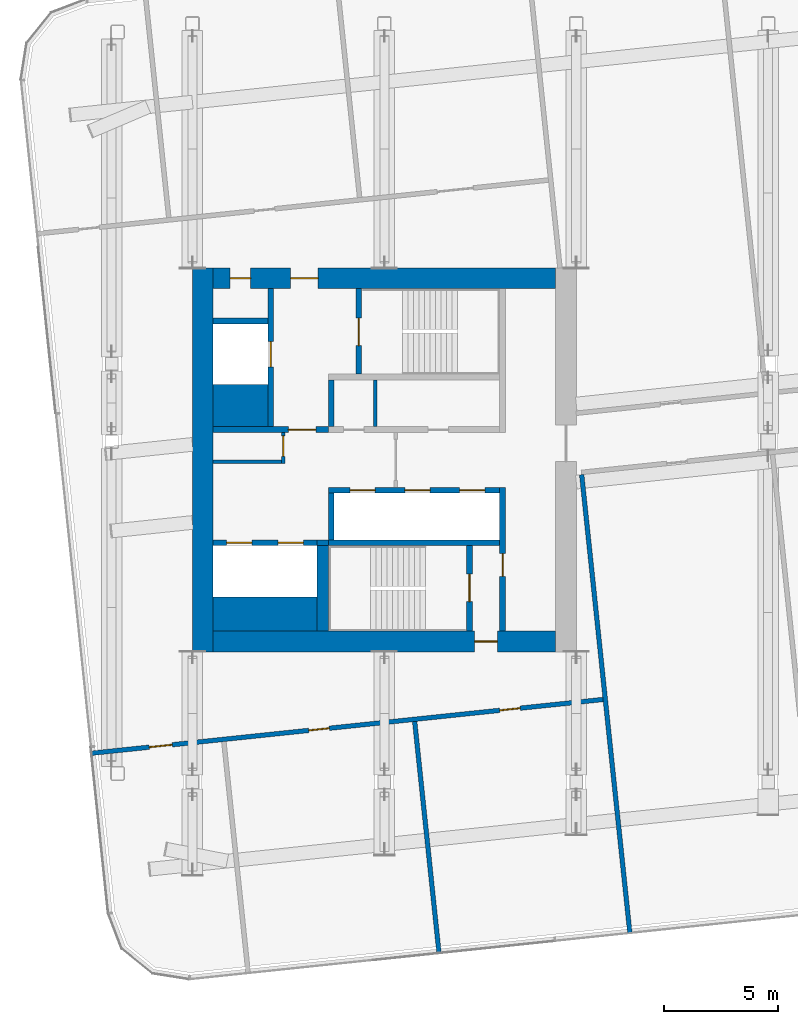
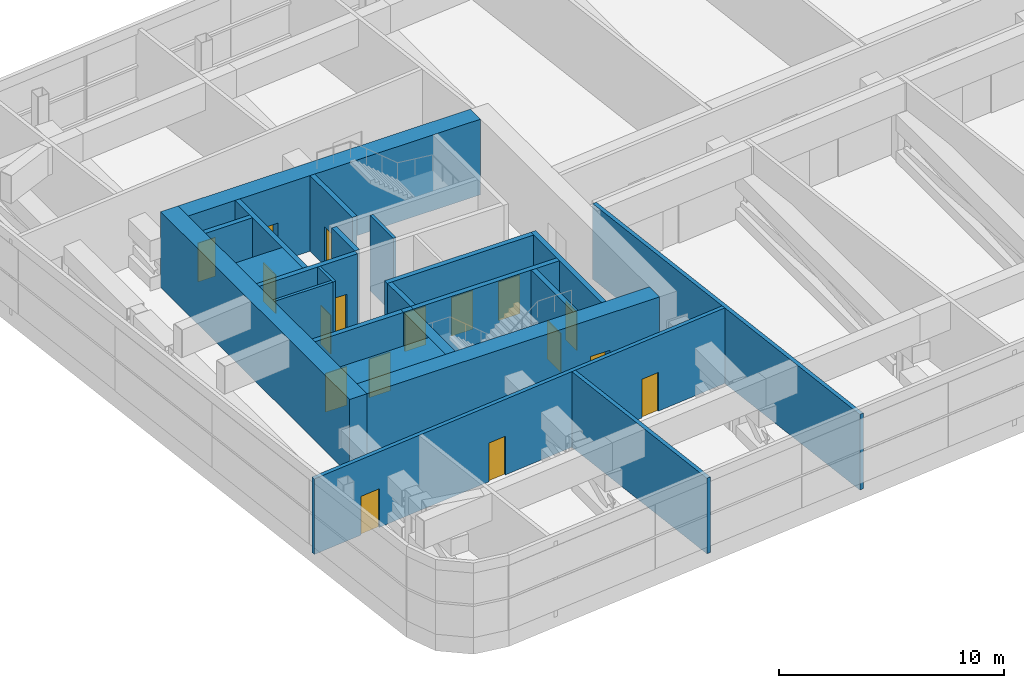
# One storey, part 16 of 33: 24 walls, 17 doors, 17 openings.
"""IFC4 building model written with IfcOpenShell, lengths in metres."""

from ifc_helpers import new_model, si_unit, direction, frame, frame_2d, origin, place, context, subcontext, project, spatial, rectangle, extrude, material, layer, layer_set, type_object, element, fill, save


model = new_model("IFC4")

# Units and contexts
model_context = context("Model", 3, precision=1e-05, world=origin(), true_north=direction((0.0, 1.0)))
body_context = subcontext(model_context, "Body", "Model", "MODEL_VIEW")
ifc_project = project(units=[si_unit("LENGTHUNIT", "METRE"), si_unit("AREAUNIT", "SQUARE_METRE"), si_unit("VOLUMEUNIT", "CUBIC_METRE"), si_unit("PLANEANGLEUNIT", "RADIAN"), si_unit("MASSUNIT", "GRAM", prefix="KILO")], contexts=[model_context])

# Site, building, storey
site_placement = place(None, origin())
site = spatial("IfcSite", under=ifc_project, at=site_placement, CompositionType="ELEMENT")
building_placement = place(site_placement, origin())
building = spatial("IfcBuilding", under=site, at=building_placement, Name="Hakoniwa Tower and Hamabe Station Hall", CompositionType="ELEMENT")
storey_placement = place(building_placement, frame((0.0, 0.0, 228.199951171875)))
storey = spatial("IfcBuildingStorey", under=building, at=storey_placement, Name="L65", CompositionType="ELEMENT", Elevation=228.199951171875)

# Wall, opening, door
ifc_material_1 = material(Name="Gypsum board partition")
ifc_layer_1 = layer(ifc_material_1, 0.14990234375)
ifc_layer_set_1 = layer_set([ifc_layer_1], Name="CORE PARTITION 150 EI 60")
wall_type_1 = type_object("IfcWallType", Name="CORE PARTITION 150 EI 60", PredefinedType="PARTITIONING", material=ifc_layer_set_1)
wall_1_placement = place(storey_placement, frame((-29.625, -0.14990234375, 0.0), z_axis=(0.0, 0.0, 1.0), x_axis=(0.0, 1.0, 0.0)))
wall_1 = element("IfcWall", 1, at=wall_1_placement, inside=storey, type_object=wall_type_1, Name="Core partition PW0 west", PredefinedType="PARTITIONING", context=body_context, shape_type="SweptSolid", body=[
    extrude(rectangle(XDim=1.349853515625, YDim=0.14990234375, at=frame_2d((0.6748046875, 0.0))), origin(), (0.0, 0.0, 1.0), 4.10009765625),
])
opening_1_placement = place(wall_1_placement, frame((0.300048828125, 0.0, 0.0)))
opening_1 = element("IfcOpeningElement", 2, at=opening_1_placement, cuts=wall_1, Name="Opening CD-W-RM1-9", PredefinedType="OPENING", context=body_context, shape_type="SweptSolid", body=[
    extrude(rectangle(XDim=0.89990234375, YDim=2.10009765625, at=frame_2d((0.449951171875, 1.050048828125))), frame((0.0, 0.0849609375, 0.0), z_axis=(0.0, -1.0, 0.0), x_axis=(1.0, 0.0, 0.0)), (0.0, 0.0, 1.0), 0.169921875),
])
ifc_material_2 = material(Name="Steel fire door", Category="steel")
door_type_1 = type_object("IfcDoorType", Name="CORE DOOR 900 FD30", OperationType="NOTDEFINED", PredefinedType="DOOR", material=ifc_material_2)
door_1_placement = place(opening_1_placement, origin())
door_1 = element("IfcDoor", 3, at=door_1_placement, inside=storey, type_object=door_type_1, Name="Store room door", OperationType="SINGLE_SWING_LEFT", OverallHeight=2.10009765625, OverallWidth=0.89990234375, PredefinedType="DOOR", context=body_context, shape_type="SweptSolid", body=[
    extrude(rectangle(XDim=0.89990234375, YDim=2.10009765625, at=frame_2d((0.449951171875, 1.050048828125))), frame((0.0, 0.02490234375, 0.0), z_axis=(0.0, -1.0, 0.0), x_axis=(1.0, 0.0, 0.0)), (0.0, 0.0, 1.0), 0.050048828125),
])
fill(opening_1, door_1)

# Walls
wall_2_placement = place(storey_placement, frame((-32.699951171875, -0.074951171875, 0.0), z_axis=(0.0, 0.0, 1.0), x_axis=(1.0, 0.0, 0.0)))
element("IfcWall", 4, at=wall_2_placement, inside=storey, type_object=wall_type_1, Name="Core partition PS west", PredefinedType="PARTITIONING", context=body_context, shape_type="SweptSolid", body=[
    extrude(rectangle(XDim=3.0, YDim=0.14990234375, at=frame_2d((1.5, 0.0))), origin(), (0.0, 0.0, 1.0), 4.10009765625),
])
wall_3_placement = place(storey_placement, frame((-25.60009765625, 1.449951171875, 0.0), z_axis=(0.0, 0.0, 1.0), x_axis=(0.0, 1.0, 0.0)))
element("IfcWall", 5, at=wall_3_placement, inside=storey, type_object=wall_type_1, Name="Core partition PFLR0 west", PredefinedType="PARTITIONING", context=body_context, shape_type="SweptSolid", body=[
    extrude(rectangle(XDim=2.050048828125, YDim=0.14990234375, at=frame_2d((1.02490234375, 0.0))), origin(), (0.0, 0.0, 1.0), 4.10009765625),
])
ifc_material_3 = material(Name="Concrete C60", Category="concrete")
ifc_layer_2 = layer(ifc_material_3, 0.89990234375)
ifc_layer_set_2 = layer_set([ifc_layer_2], Name="CORE WALL 900 C60")
wall_type_2 = type_object("IfcWallType", Name="CORE WALL 900 C60", PredefinedType="SHEAR", material=ifc_layer_set_2)
wall_4_placement = place(storey_placement, frame((-33.14990234375, -8.39990234375, 0.0), z_axis=(0.0, 0.0, 1.0), x_axis=(0.0, 1.0, 0.0)))
element("IfcWall", 6, at=wall_4_placement, inside=storey, type_object=wall_type_2, Name="Core wall OUTER west", PredefinedType="SHEAR", context=body_context, shape_type="SweptSolid", body=[
    extrude(rectangle(XDim=16.7998046875, YDim=0.89990234375, at=frame_2d((8.39990234375, 0.0))), origin(), (0.0, 0.0, 1.0), 4.10009765625),
])

# Wall, openings, doors
wall_5_placement = place(storey_placement, frame((-32.699951171875, 7.949951171875, 0.0), z_axis=(0.0, 0.0, 1.0), x_axis=(1.0, 0.0, 0.0)))
wall_5 = element("IfcWall", 7, at=wall_5_placement, inside=storey, type_object=wall_type_2, Name="Core wall NORTH west", PredefinedType="SHEAR", context=body_context, shape_type="SweptSolid", body=[
    extrude(rectangle(XDim=15.0, YDim=0.89990234375, at=frame_2d((7.5, 0.0))), origin(), (0.0, 0.0, 1.0), 4.10009765625),
])
opening_2_placement = place(wall_5_placement, frame((3.39990234375, 0.0, 0.0)))
opening_2 = element("IfcOpeningElement", 8, at=opening_2_placement, cuts=wall_5, Name="Opening CD-W-FN1-12", PredefinedType="OPENING", context=body_context, shape_type="SweptSolid", body=[
    extrude(rectangle(XDim=1.199951171875, YDim=2.10009765625, at=frame_2d((0.60009765625, 1.050048828125))), frame((0.0, 0.4599609375, 0.0), z_axis=(0.0, -1.0, 0.0), x_axis=(1.0, 0.0, 0.0)), (0.0, 0.0, 1.0), 0.919921875),
])
opening_3_placement = place(wall_5_placement, frame((0.75, 0.0, 0.0)))
opening_3 = element("IfcOpeningElement", 9, at=opening_3_placement, cuts=wall_5, Name="Opening CD-W-FN2-9", PredefinedType="OPENING", context=body_context, shape_type="SweptSolid", body=[
    extrude(rectangle(XDim=0.89990234375, YDim=2.10009765625, at=frame_2d((0.449951171875, 1.050048828125))), frame((0.0, 0.4599609375, 0.0), z_axis=(0.0, -1.0, 0.0), x_axis=(1.0, 0.0, 0.0)), (0.0, 0.0, 1.0), 0.919921875),
])
ifc_material_4 = material(Name="Steel fire door", Category="steel")
door_type_2 = type_object("IfcDoorType", Name="CORE DOOR 1200 FD60", OperationType="DOUBLE_DOOR_SINGLE_SWING", PredefinedType="DOOR", material=ifc_material_4)
door_2_placement = place(opening_2_placement, origin())
door_2 = element("IfcDoor", 10, at=door_2_placement, inside=storey, type_object=door_type_2, Name="Stair vestibule door to the fire-fighting lobby", OperationType="DOUBLE_DOOR_SINGLE_SWING", OverallHeight=2.10009765625, OverallWidth=1.199951171875, PredefinedType="DOOR", context=body_context, shape_type="SweptSolid", body=[
    extrude(rectangle(XDim=1.199951171875, YDim=2.10009765625, at=frame_2d((0.60009765625, 1.050048828125))), frame((0.0, 0.02490234375, 0.0), z_axis=(0.0, -1.0, 0.0), x_axis=(1.0, 0.0, 0.0)), (0.0, 0.0, 1.0), 0.050048828125),
])
fill(opening_2, door_2)
door_3_placement = place(opening_3_placement, origin())
door_3 = element("IfcDoor", 11, at=door_3_placement, inside=storey, type_object=door_type_1, Name="Riser access door", OperationType="SINGLE_SWING_RIGHT", OverallHeight=2.10009765625, OverallWidth=0.89990234375, PredefinedType="DOOR", context=body_context, shape_type="SweptSolid", body=[
    extrude(rectangle(XDim=0.89990234375, YDim=2.10009765625, at=frame_2d((0.449951171875, 1.050048828125))), frame((0.0, 0.02490234375, 0.0), z_axis=(0.0, -1.0, 0.0), x_axis=(1.0, 0.0, 0.0)), (0.0, 0.0, 1.0), 0.050048828125),
])
fill(opening_3, door_3)

# Wall, opening, door
wall_6_placement = place(storey_placement, frame((-32.699951171875, -7.949951171875, 0.0), z_axis=(0.0, 0.0, 1.0), x_axis=(1.0, 0.0, 0.0)))
wall_6 = element("IfcWall", 12, at=wall_6_placement, inside=storey, type_object=wall_type_2, Name="Core wall SOUTH west", PredefinedType="SHEAR", context=body_context, shape_type="SweptSolid", body=[
    extrude(rectangle(XDim=15.0, YDim=0.89990234375, at=frame_2d((7.5, 0.0))), origin(), (0.0, 0.0, 1.0), 4.10009765625),
])
opening_4_placement = place(wall_6_placement, frame((11.449951171875, 0.0, 0.0)))
opening_4 = element("IfcOpeningElement", 13, at=opening_4_placement, cuts=wall_6, Name="Opening CD-W-FS3-10", PredefinedType="OPENING", context=body_context, shape_type="SweptSolid", body=[
    extrude(rectangle(XDim=1.0, YDim=2.10009765625, at=frame_2d((0.5, 1.050048828125))), frame((0.0, 0.4599609375, 0.0), z_axis=(0.0, -1.0, 0.0), x_axis=(1.0, 0.0, 0.0)), (0.0, 0.0, 1.0), 0.919921875),
])
ifc_material_5 = material(Name="Steel fire door", Category="steel")
door_type_3 = type_object("IfcDoorType", Name="CORE DOOR 1000 FD60", OperationType="NOTDEFINED", PredefinedType="DOOR", material=ifc_material_5)
door_4_placement = place(opening_4_placement, origin())
door_4 = element("IfcDoor", 14, at=door_4_placement, inside=storey, type_object=door_type_3, Name="Stair vestibule door", OperationType="SINGLE_SWING_LEFT", OverallHeight=2.10009765625, OverallWidth=1.0, PredefinedType="DOOR", context=body_context, shape_type="SweptSolid", body=[
    extrude(rectangle(XDim=1.0, YDim=2.10009765625, at=frame_2d((0.5, 1.050048828125))), frame((0.0, 0.02490234375, 0.0), z_axis=(0.0, -1.0, 0.0), x_axis=(1.0, 0.0, 0.0)), (0.0, 0.0, 1.0), 0.050048828125),
])
fill(opening_4, door_4)

# Walls
ifc_material_6 = material(Name="Concrete C60", Category="concrete")
ifc_layer_3 = layer(ifc_material_6, 1.5)
ifc_layer_set_3 = layer_set([ifc_layer_3], Name="CORE WEB WALL 1500 C60")
wall_type_3 = type_object("IfcWallType", Name="CORE WEB WALL 1500 C60", PredefinedType="SHEAR", material=ifc_layer_set_3)
wall_7_placement = place(storey_placement, frame((-32.699951171875, -6.75, 0.0), z_axis=(0.0, 0.0, 1.0), x_axis=(1.0, 0.0, 0.0)))
element("IfcWall", 15, at=wall_7_placement, inside=storey, type_object=wall_type_3, Name="Core wall SER west", PredefinedType="SHEAR", context=body_context, shape_type="SweptSolid", body=[
    extrude(rectangle(XDim=4.550048828125, YDim=1.5, at=frame_2d((2.27490234375, 0.0))), origin(), (0.0, 0.0, 1.0), 4.10009765625),
])
ifc_material_7 = material(Name="Concrete C60", Category="concrete")
ifc_layer_4 = layer(ifc_material_7, 1.85009765625)
ifc_layer_set_4 = layer_set([ifc_layer_4], Name="CORE WEB WALL 1850 C60")
wall_type_4 = type_object("IfcWallType", Name="CORE WEB WALL 1850 C60", PredefinedType="SHEAR", material=ifc_layer_set_4)
wall_8_placement = place(storey_placement, frame((-32.699951171875, 2.375, 0.0), z_axis=(0.0, 0.0, 1.0), x_axis=(1.0, 0.0, 0.0)))
element("IfcWall", 16, at=wall_8_placement, inside=storey, type_object=wall_type_4, Name="Core wall CA west", PredefinedType="SHEAR", context=body_context, shape_type="SweptSolid", body=[
    extrude(rectangle(XDim=2.39990234375, YDim=1.85009765625, at=frame_2d((1.199951171875, 0.0))), origin(), (0.0, 0.0, 1.0), 4.10009765625),
])

# Wall, opening, door
ifc_material_8 = material(Name="Concrete C60", Category="concrete")
ifc_layer_5 = layer(ifc_material_8, 0.25)
ifc_layer_set_5 = layer_set([ifc_layer_5], Name="CORE WEB WALL 250 C60")
wall_type_5 = type_object("IfcWallType", Name="CORE WEB WALL 250 C60", PredefinedType="SHEAR", material=ifc_layer_set_5)
wall_9_placement = place(storey_placement, frame((-20.02490234375, -7.5, 0.0), z_axis=(0.0, 0.0, 1.0), x_axis=(0.0, 1.0, 0.0)))
wall_9 = element("IfcWall", 17, at=wall_9_placement, inside=storey, type_object=wall_type_5, Name="Core wall W1S west", PredefinedType="SHEAR", context=body_context, shape_type="SweptSolid", body=[
    extrude(rectangle(XDim=6.300048828125, YDim=0.25, at=frame_2d((3.14990234375, 0.0))), origin(), (0.0, 0.0, 1.0), 4.10009765625),
])
opening_5_placement = place(wall_9_placement, frame((2.39990234375, 0.0, 0.0)))
opening_5 = element("IfcOpeningElement", 18, at=opening_5_placement, cuts=wall_9, Name="Opening CD-W-VS-10", PredefinedType="OPENING", context=body_context, shape_type="SweptSolid", body=[
    extrude(rectangle(XDim=1.0, YDim=2.10009765625, at=frame_2d((0.5, 1.050048828125))), frame((0.0, 0.135009765625, 0.0), z_axis=(0.0, -1.0, 0.0), x_axis=(1.0, 0.0, 0.0)), (0.0, 0.0, 1.0), 0.27001953125),
])
door_5_placement = place(opening_5_placement, origin())
door_5 = element("IfcDoor", 19, at=door_5_placement, inside=storey, type_object=door_type_3, Name="Stair vestibule door", OperationType="SINGLE_SWING_LEFT", OverallHeight=2.10009765625, OverallWidth=1.0, PredefinedType="DOOR", context=body_context, shape_type="SweptSolid", body=[
    extrude(rectangle(XDim=1.0, YDim=2.10009765625, at=frame_2d((0.5, 1.050048828125))), frame((0.0, 0.02490234375, 0.0), z_axis=(0.0, -1.0, 0.0), x_axis=(1.0, 0.0, 0.0)), (0.0, 0.0, 1.0), 0.050048828125),
])
fill(opening_5, door_5)

# Wall
wall_10_placement = place(storey_placement, frame((-27.52490234375, 1.449951171875, 0.0), z_axis=(0.0, 0.0, 1.0), x_axis=(0.0, 1.0, 0.0)))
element("IfcWall", 20, at=wall_10_placement, inside=storey, type_object=wall_type_5, Name="Core wall NE west", PredefinedType="SHEAR", context=body_context, shape_type="SweptSolid", body=[
    extrude(rectangle(XDim=2.050048828125, YDim=0.25, at=frame_2d((1.02490234375, 0.0))), origin(), (0.0, 0.0, 1.0), 4.10009765625),
])

# Wall, opening, door
wall_11_placement = place(storey_placement, frame((-26.324951171875, 3.75, 0.0), z_axis=(0.0, 0.0, 1.0), x_axis=(0.0, 1.0, 0.0)))
wall_11 = element("IfcWall", 21, at=wall_11_placement, inside=storey, type_object=wall_type_5, Name="Core wall NSE west", PredefinedType="SHEAR", context=body_context, shape_type="SweptSolid", body=[
    extrude(rectangle(XDim=3.75, YDim=0.25, at=frame_2d((1.875, 0.0))), origin(), (0.0, 0.0, 1.0), 4.10009765625),
])
opening_6_placement = place(wall_11_placement, frame((1.25, 0.0, 0.0)))
opening_6 = element("IfcOpeningElement", 22, at=opening_6_placement, cuts=wall_11, Name="Opening CD-W-SN-12", PredefinedType="OPENING", context=body_context, shape_type="SweptSolid", body=[
    extrude(rectangle(XDim=1.199951171875, YDim=2.10009765625, at=frame_2d((0.60009765625, 1.050048828125))), frame((0.0, 0.135009765625, 0.0), z_axis=(0.0, -1.0, 0.0), x_axis=(1.0, 0.0, 0.0)), (0.0, 0.0, 1.0), 0.27001953125),
])
door_6_placement = place(opening_6_placement, origin())
door_6 = element("IfcDoor", 23, at=door_6_placement, inside=storey, type_object=door_type_2, Name="Escape stair door", OperationType="DOUBLE_DOOR_SINGLE_SWING", OverallHeight=2.10009765625, OverallWidth=1.199951171875, PredefinedType="DOOR", context=body_context, shape_type="SweptSolid", body=[
    extrude(rectangle(XDim=1.199951171875, YDim=2.10009765625, at=frame_2d((0.60009765625, 1.050048828125))), frame((0.0, 0.02490234375, 0.0), z_axis=(0.0, -1.0, 0.0), x_axis=(1.0, 0.0, 0.0)), (0.0, 0.0, 1.0), 0.050048828125),
])
fill(opening_6, door_6)

wall_12_placement = place(storey_placement, frame((-32.699951171875, 1.324951171875, 0.0), z_axis=(0.0, 0.0, 1.0), x_axis=(1.0, 0.0, 0.0)))
wall_12 = element("IfcWall", 24, at=wall_12_placement, inside=storey, type_object=wall_type_5, Name="Core wall ELN west", PredefinedType="SHEAR", context=body_context, shape_type="SweptSolid", body=[
    extrude(rectangle(XDim=5.050048828125, YDim=0.25, at=frame_2d((2.52490234375, 0.0))), origin(), (0.0, 0.0, 1.0), 4.10009765625),
])
opening_7_placement = place(wall_12_placement, frame((3.300048828125, 0.0, 0.0)))
opening_7 = element("IfcOpeningElement", 25, at=opening_7_placement, cuts=wall_12, Name="Opening CD-W-FL-12", PredefinedType="OPENING", context=body_context, shape_type="SweptSolid", body=[
    extrude(rectangle(XDim=1.199951171875, YDim=2.10009765625, at=frame_2d((0.60009765625, 1.050048828125))), frame((0.0, 0.135009765625, 0.0), z_axis=(0.0, -1.0, 0.0), x_axis=(1.0, 0.0, 0.0)), (0.0, 0.0, 1.0), 0.27001953125),
])
door_7_placement = place(opening_7_placement, origin())
door_7 = element("IfcDoor", 26, at=door_7_placement, inside=storey, type_object=door_type_2, Name="Stair vestibule door to the fire-fighting lobby", OperationType="DOUBLE_DOOR_SINGLE_SWING", OverallHeight=2.10009765625, OverallWidth=1.199951171875, PredefinedType="DOOR", context=body_context, shape_type="SweptSolid", body=[
    extrude(rectangle(XDim=1.199951171875, YDim=2.10009765625, at=frame_2d((0.60009765625, 1.050048828125))), frame((0.0, 0.02490234375, 0.0), z_axis=(0.0, -1.0, 0.0), x_axis=(1.0, 0.0, 0.0)), (0.0, 0.0, 1.0), 0.050048828125),
])
fill(opening_7, door_7)

wall_13_placement = place(storey_placement, frame((-30.175048828125, 1.449951171875, 0.0), z_axis=(0.0, 0.0, 1.0), x_axis=(0.0, 1.0, 0.0)))
wall_13 = element("IfcWall", 27, at=wall_13_placement, inside=storey, type_object=wall_type_5, Name="Core wall FFF west", PredefinedType="SHEAR", context=body_context, shape_type="SweptSolid", body=[
    extrude(rectangle(XDim=6.050048828125, YDim=0.25, at=frame_2d((3.02490234375, 0.0))), origin(), (0.0, 0.0, 1.0), 4.10009765625),
])
opening_8_placement = place(wall_13_placement, frame((2.625, 0.0, 0.0)))
opening_8 = element("IfcOpeningElement", 28, at=opening_8_placement, cuts=wall_13, Name="Opening LD-FF1", PredefinedType="OPENING", context=body_context, shape_type="SweptSolid", body=[
    extrude(rectangle(XDim=1.10009765625, YDim=2.10009765625, at=frame_2d((0.550048828125, 1.050048828125))), frame((0.0, 0.135009765625, 0.0), z_axis=(0.0, -1.0, 0.0), x_axis=(1.0, 0.0, 0.0)), (0.0, 0.0, 1.0), 0.27001953125),
])
ifc_material_9 = material(Name="Stainless steel SUS304", Category="steel")
door_type_4 = type_object("IfcDoorType", Name="LIFT LANDING DOOR 1100 FD60", OperationType="DOUBLE_DOOR_SLIDING", PredefinedType="DOOR", material=ifc_material_9)
door_8_placement = place(opening_8_placement, origin())
door_8 = element("IfcDoor", 29, at=door_8_placement, inside=storey, type_object=door_type_4, Name="Lift landing door FF1 L65", OperationType="DOUBLE_DOOR_SLIDING", OverallHeight=2.10009765625, OverallWidth=1.10009765625, PredefinedType="DOOR", context=body_context, shape_type="SweptSolid", body=[
    extrude(rectangle(XDim=1.10009765625, YDim=2.10009765625, at=frame_2d((0.550048828125, 1.050048828125))), frame((0.0, 0.02490234375, 0.0), z_axis=(0.0, -1.0, 0.0), x_axis=(1.0, 0.0, 0.0)), (0.0, 0.0, 1.0), 0.050048828125),
])
fill(opening_8, door_8)

# Wall
wall_14_placement = place(storey_placement, frame((-32.699951171875, 6.074951171875, 0.0), z_axis=(0.0, 0.0, 1.0), x_axis=(1.0, 0.0, 0.0)))
element("IfcWall", 30, at=wall_14_placement, inside=storey, type_object=wall_type_5, Name="Core wall C2 west", PredefinedType="SHEAR", context=body_context, shape_type="SweptSolid", body=[
    extrude(rectangle(XDim=2.39990234375, YDim=0.25, at=frame_2d((1.199951171875, 0.0))), origin(), (0.0, 0.0, 1.0), 4.10009765625),
])

# Wall, openings, doors
wall_15_placement = place(storey_placement, frame((-27.64990234375, -1.324951171875, 0.0), z_axis=(0.0, 0.0, 1.0), x_axis=(1.0, 0.0, 0.0)))
wall_15 = element("IfcWall", 31, at=wall_15_placement, inside=storey, type_object=wall_type_5, Name="Core wall SF west", PredefinedType="SHEAR", context=body_context, shape_type="SweptSolid", body=[
    extrude(rectangle(XDim=7.5, YDim=0.25, at=frame_2d((3.75, 0.0))), origin(), (0.0, 0.0, 1.0), 4.10009765625),
])
opening_9_placement = place(wall_15_placement, frame((5.75, 0.0, 0.0)))
opening_9 = element("IfcOpeningElement", 32, at=opening_9_placement, cuts=wall_15, Name="Opening LD-HR1", PredefinedType="OPENING", context=body_context, shape_type="SweptSolid", body=[
    extrude(rectangle(XDim=1.10009765625, YDim=2.10009765625, at=frame_2d((0.550048828125, 1.050048828125))), frame((0.0, 0.135009765625, 0.0), z_axis=(0.0, -1.0, 0.0), x_axis=(1.0, 0.0, 0.0)), (0.0, 0.0, 1.0), 0.27001953125),
])
opening_10_placement = place(wall_15_placement, frame((3.35009765625, 0.0, 0.0)))
opening_10 = element("IfcOpeningElement", 33, at=opening_10_placement, cuts=wall_15, Name="Opening LD-HR2", PredefinedType="OPENING", context=body_context, shape_type="SweptSolid", body=[
    extrude(rectangle(XDim=1.10009765625, YDim=2.10009765625, at=frame_2d((0.550048828125, 1.050048828125))), frame((0.0, 0.135009765625, 0.0), z_axis=(0.0, -1.0, 0.0), x_axis=(1.0, 0.0, 0.0)), (0.0, 0.0, 1.0), 0.27001953125),
])
opening_11_placement = place(wall_15_placement, frame((0.949951171875, 0.0, 0.0)))
opening_11 = element("IfcOpeningElement", 34, at=opening_11_placement, cuts=wall_15, Name="Opening LD-HR3", PredefinedType="OPENING", context=body_context, shape_type="SweptSolid", body=[
    extrude(rectangle(XDim=1.10009765625, YDim=2.10009765625, at=frame_2d((0.550048828125, 1.050048828125))), frame((0.0, 0.135009765625, 0.0), z_axis=(0.0, -1.0, 0.0), x_axis=(1.0, 0.0, 0.0)), (0.0, 0.0, 1.0), 0.27001953125),
])
door_9_placement = place(opening_9_placement, origin())
door_9 = element("IfcDoor", 35, at=door_9_placement, inside=storey, type_object=door_type_4, Name="Lift landing door HR1 L65", OperationType="DOUBLE_DOOR_SLIDING", OverallHeight=2.10009765625, OverallWidth=1.10009765625, PredefinedType="DOOR", context=body_context, shape_type="SweptSolid", body=[
    extrude(rectangle(XDim=1.10009765625, YDim=2.10009765625, at=frame_2d((0.550048828125, 1.050048828125))), frame((0.0, 0.02490234375, 0.0), z_axis=(0.0, -1.0, 0.0), x_axis=(1.0, 0.0, 0.0)), (0.0, 0.0, 1.0), 0.050048828125),
])
fill(opening_9, door_9)
door_10_placement = place(opening_10_placement, origin())
door_10 = element("IfcDoor", 36, at=door_10_placement, inside=storey, type_object=door_type_4, Name="Lift landing door HR2 L65", OperationType="DOUBLE_DOOR_SLIDING", OverallHeight=2.10009765625, OverallWidth=1.10009765625, PredefinedType="DOOR", context=body_context, shape_type="SweptSolid", body=[
    extrude(rectangle(XDim=1.10009765625, YDim=2.10009765625, at=frame_2d((0.550048828125, 1.050048828125))), frame((0.0, 0.02490234375, 0.0), z_axis=(0.0, -1.0, 0.0), x_axis=(1.0, 0.0, 0.0)), (0.0, 0.0, 1.0), 0.050048828125),
])
fill(opening_10, door_10)
door_11_placement = place(opening_11_placement, origin())
door_11 = element("IfcDoor", 37, at=door_11_placement, inside=storey, type_object=door_type_4, Name="Lift landing door HR3 L65", OperationType="DOUBLE_DOOR_SLIDING", OverallHeight=2.10009765625, OverallWidth=1.10009765625, PredefinedType="DOOR", context=body_context, shape_type="SweptSolid", body=[
    extrude(rectangle(XDim=1.10009765625, YDim=2.10009765625, at=frame_2d((0.550048828125, 1.050048828125))), frame((0.0, 0.02490234375, 0.0), z_axis=(0.0, -1.0, 0.0), x_axis=(1.0, 0.0, 0.0)), (0.0, 0.0, 1.0), 0.050048828125),
])
fill(opening_11, door_11)

# Walls
wall_16_placement = place(storey_placement, frame((-27.52490234375, -3.5, 0.0), z_axis=(0.0, 0.0, 1.0), x_axis=(0.0, 1.0, 0.0)))
element("IfcWall", 38, at=wall_16_placement, inside=storey, type_object=wall_type_5, Name="Core wall SE west", PredefinedType="SHEAR", context=body_context, shape_type="SweptSolid", body=[
    extrude(rectangle(XDim=2.050048828125, YDim=0.25, at=frame_2d((1.02490234375, 0.0))), origin(), (0.0, 0.0, 1.0), 4.10009765625),
])
wall_17_placement = place(storey_placement, frame((-27.64990234375, -3.625, 0.0), z_axis=(0.0, 0.0, 1.0), x_axis=(1.0, 0.0, 0.0)))
element("IfcWall", 39, at=wall_17_placement, inside=storey, type_object=wall_type_5, Name="Core wall SR west", PredefinedType="SHEAR", context=body_context, shape_type="SweptSolid", body=[
    extrude(rectangle(XDim=7.5, YDim=0.25, at=frame_2d((3.75, 0.0))), origin(), (0.0, 0.0, 1.0), 4.10009765625),
])

# Wall, opening, door
wall_18_placement = place(storey_placement, frame((-21.47509765625, -7.5, 0.0), z_axis=(0.0, 0.0, 1.0), x_axis=(0.0, 1.0, 0.0)))
wall_18 = element("IfcWall", 40, at=wall_18_placement, inside=storey, type_object=wall_type_5, Name="Core wall VE west", PredefinedType="SHEAR", context=body_context, shape_type="SweptSolid", body=[
    extrude(rectangle(XDim=3.75, YDim=0.25, at=frame_2d((1.875, 0.0))), origin(), (0.0, 0.0, 1.0), 4.10009765625),
])
opening_12_placement = place(wall_18_placement, frame((1.300048828125, 0.0, 0.0)))
opening_12 = element("IfcOpeningElement", 41, at=opening_12_placement, cuts=wall_18, Name="Opening CD-W-SS-12", PredefinedType="OPENING", context=body_context, shape_type="SweptSolid", body=[
    extrude(rectangle(XDim=1.199951171875, YDim=2.10009765625, at=frame_2d((0.60009765625, 1.050048828125))), frame((0.0, 0.135009765625, 0.0), z_axis=(0.0, -1.0, 0.0), x_axis=(1.0, 0.0, 0.0)), (0.0, 0.0, 1.0), 0.27001953125),
])
door_12_placement = place(opening_12_placement, origin())
door_12 = element("IfcDoor", 42, at=door_12_placement, inside=storey, type_object=door_type_2, Name="Escape stair door", OperationType="DOUBLE_DOOR_SINGLE_SWING", OverallHeight=2.10009765625, OverallWidth=1.199951171875, PredefinedType="DOOR", context=body_context, shape_type="SweptSolid", body=[
    extrude(rectangle(XDim=1.199951171875, YDim=2.10009765625, at=frame_2d((0.60009765625, 1.050048828125))), frame((0.0, 0.02490234375, 0.0), z_axis=(0.0, -1.0, 0.0), x_axis=(1.0, 0.0, 0.0)), (0.0, 0.0, 1.0), 0.050048828125),
])
fill(opening_12, door_12)

# Wall, openings, doors
wall_19_placement = place(storey_placement, frame((-32.699951171875, -3.625, 0.0), z_axis=(0.0, 0.0, 1.0), x_axis=(1.0, 0.0, 0.0)))
wall_19 = element("IfcWall", 43, at=wall_19_placement, inside=storey, type_object=wall_type_5, Name="Core wall SEF west", PredefinedType="SHEAR", context=body_context, shape_type="SweptSolid", body=[
    extrude(rectangle(XDim=4.550048828125, YDim=0.25, at=frame_2d((2.27490234375, 0.0))), origin(), (0.0, 0.0, 1.0), 4.10009765625),
])
opening_13_placement = place(wall_19_placement, frame((2.85009765625, 0.0, 0.0)))
opening_13 = element("IfcOpeningElement", 44, at=opening_13_placement, cuts=wall_19, Name="Opening LD-SV1", PredefinedType="OPENING", context=body_context, shape_type="SweptSolid", body=[
    extrude(rectangle(XDim=1.10009765625, YDim=2.10009765625, at=frame_2d((0.550048828125, 1.050048828125))), frame((0.0, 0.135009765625, 0.0), z_axis=(0.0, -1.0, 0.0), x_axis=(1.0, 0.0, 0.0)), (0.0, 0.0, 1.0), 0.27001953125),
])
opening_14_placement = place(wall_19_placement, frame((0.60009765625, 0.0, 0.0)))
opening_14 = element("IfcOpeningElement", 45, at=opening_14_placement, cuts=wall_19, Name="Opening LD-SV2", PredefinedType="OPENING", context=body_context, shape_type="SweptSolid", body=[
    extrude(rectangle(XDim=1.10009765625, YDim=2.10009765625, at=frame_2d((0.550048828125, 1.050048828125))), frame((0.0, 0.135009765625, 0.0), z_axis=(0.0, -1.0, 0.0), x_axis=(1.0, 0.0, 0.0)), (0.0, 0.0, 1.0), 0.27001953125),
])
door_13_placement = place(opening_13_placement, origin())
door_13 = element("IfcDoor", 46, at=door_13_placement, inside=storey, type_object=door_type_4, Name="Lift landing door SV1 L65", OperationType="DOUBLE_DOOR_SLIDING", OverallHeight=2.10009765625, OverallWidth=1.10009765625, PredefinedType="DOOR", context=body_context, shape_type="SweptSolid", body=[
    extrude(rectangle(XDim=1.10009765625, YDim=2.10009765625, at=frame_2d((0.550048828125, 1.050048828125))), frame((0.0, 0.02490234375, 0.0), z_axis=(0.0, -1.0, 0.0), x_axis=(1.0, 0.0, 0.0)), (0.0, 0.0, 1.0), 0.050048828125),
])
fill(opening_13, door_13)
door_14_placement = place(opening_14_placement, origin())
door_14 = element("IfcDoor", 47, at=door_14_placement, inside=storey, type_object=door_type_4, Name="Lift landing door SV2 L65", OperationType="DOUBLE_DOOR_SLIDING", OverallHeight=2.10009765625, OverallWidth=1.10009765625, PredefinedType="DOOR", context=body_context, shape_type="SweptSolid", body=[
    extrude(rectangle(XDim=1.10009765625, YDim=2.10009765625, at=frame_2d((0.550048828125, 1.050048828125))), frame((0.0, 0.02490234375, 0.0), z_axis=(0.0, -1.0, 0.0), x_axis=(1.0, 0.0, 0.0)), (0.0, 0.0, 1.0), 0.050048828125),
])
fill(opening_14, door_14)

# Walls
wall_20_placement = place(storey_placement, frame((-28.14990234375, -3.625, 0.0), z_axis=(0.0, 0.0, 1.0), x_axis=(1.0, 0.0, 0.0)))
element("IfcWall", 48, at=wall_20_placement, inside=storey, type_object=wall_type_5, Name="Core wall SRK west", PredefinedType="SHEAR", context=body_context, shape_type="SweptSolid", body=[
    extrude(rectangle(XDim=0.5, YDim=0.25, at=frame_2d((0.25, 0.0))), origin(), (0.0, 0.0, 1.0), 4.10009765625),
])
ifc_material_10 = material(Name="Concrete C60", Category="concrete")
ifc_layer_6 = layer(ifc_material_10, 0.5)
ifc_layer_set_6 = layer_set([ifc_layer_6], Name="CORE WEB WALL 500 C60")
wall_type_6 = type_object("IfcWallType", Name="CORE WEB WALL 500 C60", PredefinedType="SHEAR", material=ifc_layer_set_6)
wall_21_placement = place(storey_placement, frame((-27.89990234375, -7.5, 0.0), z_axis=(0.0, 0.0, 1.0), x_axis=(0.0, 1.0, 0.0)))
element("IfcWall", 49, at=wall_21_placement, inside=storey, type_object=wall_type_6, Name="Core wall SSE west", PredefinedType="SHEAR", context=body_context, shape_type="SweptSolid", body=[
    extrude(rectangle(XDim=3.75, YDim=0.5, at=frame_2d((1.875, 0.0))), origin(), (0.0, 0.0, 1.0), 4.10009765625),
])

# Wall, openings, doors
ifc_material_11 = material(Name="Fire-rated gypsum board partition", Category="gypsum")
ifc_layer_7 = layer(ifc_material_11, 0.199951171875)
ifc_layer_set_7 = layer_set([ifc_layer_7], Name="Corridor Wall 200")
wall_type_7 = type_object("IfcWallType", Name="Corridor Wall 200", PredefinedType="PARTITIONING", material=ifc_layer_set_7)
wall_22_placement = place(storey_placement, frame((-38.0390625, -12.844482421875, 0.0), z_axis=(0.0, 0.0, 1.0), x_axis=(0.994521812173, 0.104529254816, 0.0)))
wall_22 = element("IfcWall", 50, at=wall_22_placement, inside=storey, type_object=wall_type_7, Name="GW-L65-002", PredefinedType="PARTITIONING", context=body_context, shape_type="SweptSolid", body=[
    extrude(rectangle(XDim=22.634521484375, YDim=0.199951171875, at=frame_2d((11.3173828125, 0.0))), origin(), (0.0, 0.0, 1.0), 4.10009765625),
])
opening_15_placement = place(wall_22_placement, frame((2.5673828125, 0.0, 0.0)))
opening_15 = element("IfcOpeningElement", 51, at=opening_15_placement, cuts=wall_22, Name="Opening GD-SL65-06", PredefinedType="OPENING", context=body_context, shape_type="SweptSolid", body=[
    extrude(rectangle(XDim=1.0, YDim=2.10009765625, at=frame_2d((0.5, 1.050048828125))), frame((0.0, 0.10986328125, 0.0), z_axis=(0.0, -1.0, 0.0), x_axis=(1.0, 0.0, 0.0)), (0.0, 0.0, 1.0), 0.219970703125),
])
opening_16_placement = place(wall_22_placement, frame((9.584716796875, 0.0, 0.0)))
opening_16 = element("IfcOpeningElement", 52, at=opening_16_placement, cuts=wall_22, Name="Opening GD-SL65-07", PredefinedType="OPENING", context=body_context, shape_type="SweptSolid", body=[
    extrude(rectangle(XDim=0.89990234375, YDim=2.10009765625, at=frame_2d((0.449951171875, 1.050048828125))), frame((0.0, 0.10986328125, 0.0), z_axis=(0.0, -1.0, 0.0), x_axis=(1.0, 0.0, 0.0)), (0.0, 0.0, 1.0), 0.219970703125),
])
opening_17_placement = place(wall_22_placement, frame((17.984619140625, 0.0, 0.0)))
opening_17 = element("IfcOpeningElement", 53, at=opening_17_placement, cuts=wall_22, Name="Opening GD-SL65-08", PredefinedType="OPENING", context=body_context, shape_type="SweptSolid", body=[
    extrude(rectangle(XDim=0.89990234375, YDim=2.10009765625, at=frame_2d((0.449951171875, 1.050048828125))), frame((0.0, 0.10986328125, 0.0), z_axis=(0.0, -1.0, 0.0), x_axis=(1.0, 0.0, 0.0)), (0.0, 0.0, 1.0), 0.219970703125),
])
ifc_material_12 = material(Name="Timber door leaf", Category="wood")
door_type_5 = type_object("IfcDoorType", Name="Guest Entrance Door 1000", OperationType="SINGLE_SWING_LEFT", PredefinedType="DOOR", material=ifc_material_12)
door_15_placement = place(opening_15_placement, origin())
door_15 = element("IfcDoor", 54, at=door_15_placement, inside=storey, type_object=door_type_5, Name="Door GD-SL65-06", OperationType="SINGLE_SWING_RIGHT", OverallHeight=2.10009765625, OverallWidth=1.0, PredefinedType="DOOR", context=body_context, shape_type="SweptSolid", body=[
    extrude(rectangle(XDim=1.0, YDim=2.10009765625, at=frame_2d((0.5, 1.050048828125))), frame((0.0, 0.02490234375, 0.0), z_axis=(0.0, -1.0, 0.0), x_axis=(1.0, 0.0, 0.0)), (0.0, 0.0, 1.0), 0.050048828125),
])
fill(opening_15, door_15)
ifc_material_13 = material(Name="Timber door leaf", Category="wood")
door_type_6 = type_object("IfcDoorType", Name="Service Door 900", OperationType="SINGLE_SWING_LEFT", PredefinedType="DOOR", material=ifc_material_13)
door_16_placement = place(opening_16_placement, origin())
door_16 = element("IfcDoor", 55, at=door_16_placement, inside=storey, type_object=door_type_6, Name="Door GD-SL65-07", OperationType="SINGLE_SWING_LEFT", OverallHeight=2.10009765625, OverallWidth=0.89990234375, PredefinedType="DOOR", context=body_context, shape_type="SweptSolid", body=[
    extrude(rectangle(XDim=0.89990234375, YDim=2.10009765625, at=frame_2d((0.449951171875, 1.050048828125))), frame((0.0, 0.02490234375, 0.0), z_axis=(0.0, -1.0, 0.0), x_axis=(1.0, 0.0, 0.0)), (0.0, 0.0, 1.0), 0.050048828125),
])
fill(opening_16, door_16)
door_17_placement = place(opening_17_placement, origin())
door_17 = element("IfcDoor", 56, at=door_17_placement, inside=storey, type_object=door_type_6, Name="Door GD-SL65-08", OperationType="SINGLE_SWING_RIGHT", OverallHeight=2.10009765625, OverallWidth=0.89990234375, PredefinedType="DOOR", context=body_context, shape_type="SweptSolid", body=[
    extrude(rectangle(XDim=0.89990234375, YDim=2.10009765625, at=frame_2d((0.449951171875, 1.050048828125))), frame((0.0, 0.02490234375, 0.0), z_axis=(0.0, -1.0, 0.0), x_axis=(1.0, 0.0, 0.0)), (0.0, 0.0, 1.0), 0.050048828125),
])
fill(opening_17, door_17)

# Walls
ifc_material_14 = material(Name="Fire-rated gypsum board partition", Category="gypsum")
ifc_layer_8 = layer(ifc_material_14, 0.199951171875)
ifc_layer_set_8 = layer_set([ifc_layer_8], Name="Party Wall 200")
wall_type_8 = type_object("IfcWallType", Name="Party Wall 200", PredefinedType="PARTITIONING", material=ifc_layer_set_8)
wall_23_placement = place(storey_placement, frame((-22.80517578125, -21.606201171875, 0.0), z_axis=(0.0, 0.0, 1.0), x_axis=(-0.104535358167, 0.994521170661, 0.0)))
element("IfcWall", 57, at=wall_23_placement, inside=storey, type_object=wall_type_8, Name="GW-L65-009", PredefinedType="PARTITIONING", context=body_context, shape_type="SweptSolid", body=[
    extrude(rectangle(XDim=10.2060546875, YDim=0.199951171875, at=frame_2d((5.10302734375, 0.0))), origin(), (0.0, 0.0, 1.0), 4.10009765625),
])
wall_24_placement = place(storey_placement, frame((-14.451171875, -20.728271484375, 0.0), z_axis=(0.0, 0.0, 1.0), x_axis=(-0.104522387243, 0.994522533965, 0.0)))
element("IfcWall", 58, at=wall_24_placement, inside=storey, type_object=wall_type_8, Name="GW-L65-011", PredefinedType="PARTITIONING", context=body_context, shape_type="SweptSolid", body=[
    extrude(rectangle(XDim=20.1904296875, YDim=0.199951171875, at=frame_2d((10.09521484375, 0.0))), origin(), (0.0, 0.0, 1.0), 4.10009765625),
])

save(model, "model.ifc")
